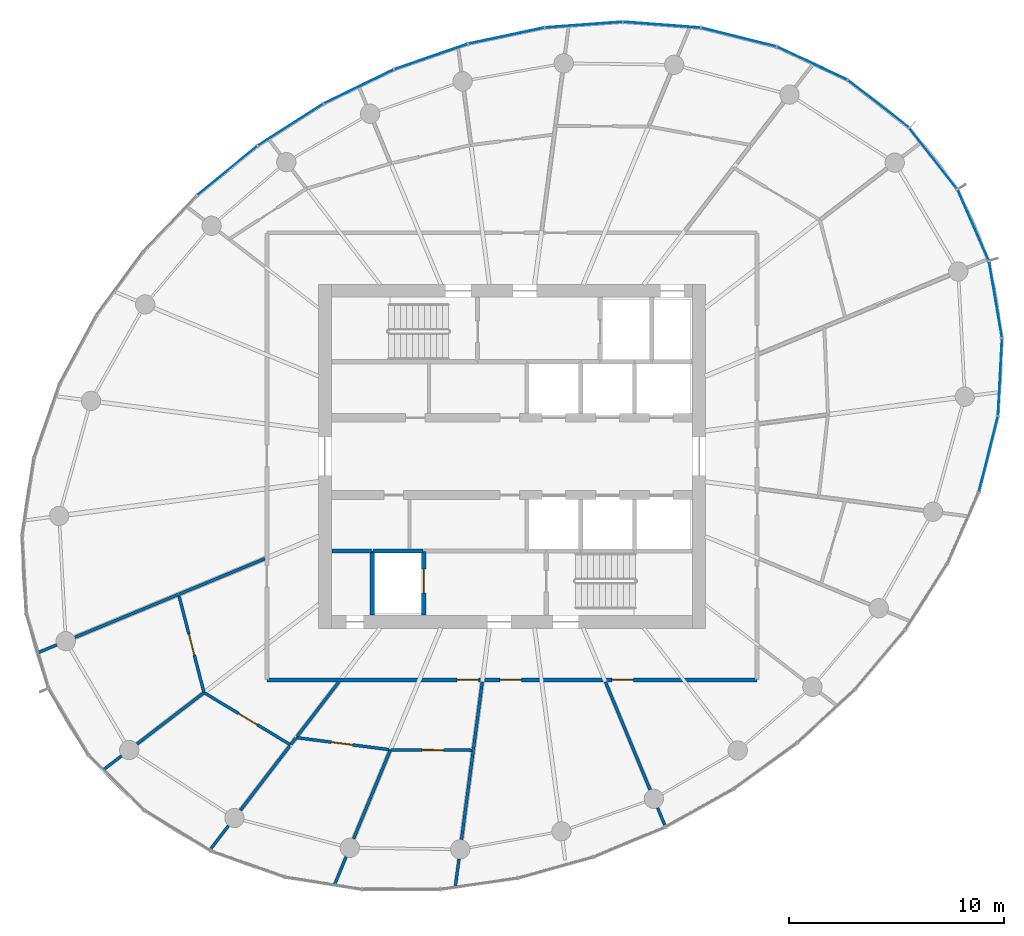
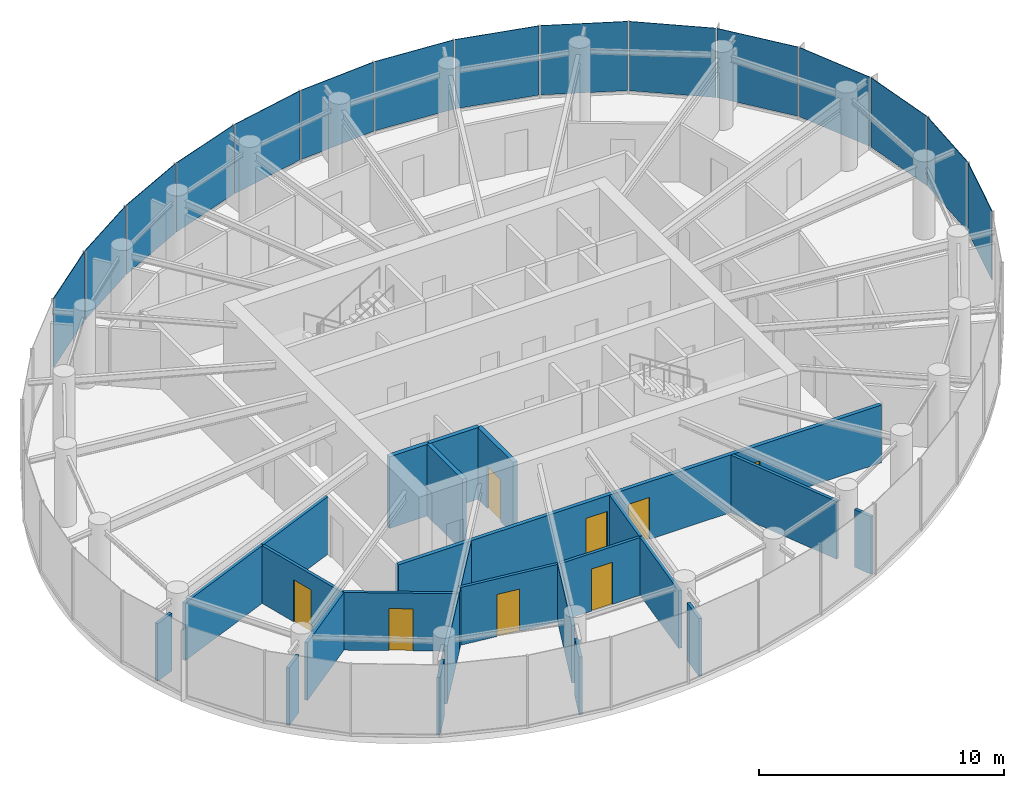
# One storey, part 9 of 14: 25 walls, 15 plates, 8 doors, 8 openings, 3 elements without a shape of their own.
"""IFC4 building model written with IfcOpenShell, lengths in metres."""

import ifcopenshell
import ifcopenshell.guid

model = None  # the IFC model being written
_history = None  # IfcOwnerHistory: only IFC2X3 demands one
_inside = {}  # id of a spatial element -> (the spatial element, [elements in it])
_under = {}  # id of a project, library or spatial element -> (it, [spatial elements below it])
_declared = {}  # id of a project -> (the project, [libraries it declares])
_typed = {}  # id of a type object -> (the type object, [elements of that type])
_made_of = {}  # id of a material, layer set ... -> (it, [elements and type objects made of it])


def new_model(schema):
    """Start an empty IFC model of exactly this schema.

    Asked for "IFC4X3", IfcOpenShell would pick the latest addendum, in which some entities
    have other attributes; the version numbers below select the first issue.
    IFC2X3 requires an IfcOwnerHistory on every rooted entity: one is made here for all.
    """
    global model, _history
    if schema == "IFC4X3":
        model = ifcopenshell.file(schema_version=(4, 3, 0, 0))
    else:
        model = ifcopenshell.file(schema=schema)
    _inside.clear()
    _under.clear()
    _declared.clear()
    _typed.clear()
    _made_of.clear()
    _history = None
    if model.schema == "IFC2X3":
        org = make("IfcOrganization", Name="unknown")
        user = make(
            "IfcPersonAndOrganization",
            ThePerson=make("IfcPerson", FamilyName="unknown"),
            TheOrganization=org,
        )
        app = make(
            "IfcApplication",
            ApplicationDeveloper=org,
            Version="unknown",
            ApplicationFullName="unknown",
            ApplicationIdentifier="unknown",
        )
        _history = make(
            "IfcOwnerHistory",
            OwningUser=user,
            OwningApplication=app,
            ChangeAction="ADDED",
            CreationDate=0,
        )
    return model


def make(cls, **values):
    """One entity of the class cls with the attributes given. An attribute that is None is left unset."""
    return model.create_entity(
        cls, **{name: value for name, value in values.items() if value is not None}
    )


def rooted(cls, **values):
    """An entity with a GlobalId (a new one), such as an element, a storey or a relation."""
    return make(cls, GlobalId=ifcopenshell.guid.new(), OwnerHistory=_history, **values)


def si_unit(unit_type, name, prefix=None):
    """IfcSIUnit, for example si_unit("LENGTHUNIT", "METRE", prefix="MILLI")."""
    return make("IfcSIUnit", UnitType=unit_type, Prefix=prefix, Name=name)


def assignment(units):
    """IfcUnitAssignment: the units of a project."""
    return None if units is None else make("IfcUnitAssignment", Units=units)


def point(xyz):
    """IfcCartesianPoint."""
    return None if xyz is None else make("IfcCartesianPoint", Coordinates=xyz)


def direction(xyz):
    """IfcDirection."""
    return None if xyz is None else make("IfcDirection", DirectionRatios=xyz)


def frame(location, z_axis=None, x_axis=None):
    """IfcAxis2Placement3D, a coordinate frame: its origin and axes. An axis left out is left unset."""
    return make(
        "IfcAxis2Placement3D",
        Location=point(location),
        Axis=direction(z_axis),
        RefDirection=direction(x_axis),
    )


def frame_2d(location, x_axis=None):
    """IfcAxis2Placement2D, a coordinate frame in the plane: its origin and x axis."""
    return make(
        "IfcAxis2Placement2D", Location=point(location), RefDirection=direction(x_axis)
    )


def origin():
    """The frame at (0, 0, 0) with its axes left unset."""
    return frame((0.0, 0.0, 0.0))


def origin_2d():
    """The frame at (0, 0) in the plane with its x axis left unset."""
    return frame_2d((0.0, 0.0))


def place(relative_to, where):
    """IfcLocalPlacement: puts the frame where relative to a parent placement (None: the world)."""
    return make(
        "IfcLocalPlacement", PlacementRelTo=relative_to, RelativePlacement=where
    )


def context(
    kind, dimensions, precision=None, world=None, true_north=None, identifier=None
):
    """IfcGeometricRepresentationContext, for example the 3D "Model" context."""
    return make(
        "IfcGeometricRepresentationContext",
        ContextIdentifier=identifier,
        ContextType=kind,
        CoordinateSpaceDimension=dimensions,
        Precision=precision,
        WorldCoordinateSystem=world,
        TrueNorth=true_north,
    )


def subcontext(parent, identifier, kind, view, scale=None):
    """IfcGeometricRepresentationSubContext, for example "Body" below "Model"."""
    return make(
        "IfcGeometricRepresentationSubContext",
        ContextIdentifier=identifier,
        ContextType=kind,
        ParentContext=parent,
        TargetScale=scale,
        TargetView=view,
    )


def project(units=None, contexts=None):
    """IfcProject with its units and contexts."""
    return rooted(
        "IfcProject",
        Name="project",
        RepresentationContexts=contexts,
        UnitsInContext=assignment(units),
    )


def spatial(cls, under=None, at=None, **own):
    """A site, building, storey or space (cls), placed at a placement, below another one or the project."""
    s = rooted(cls, ObjectPlacement=at, **own)
    if under is not None:
        _under.setdefault(under.id(), (under, []))[1].append(s)
    return s


def profile(cls, at=None, kind="AREA", **sizes):
    """A parametric profile (cls). Its sizes go by their IFC names, for example OverallWidth=200.0."""
    return make(cls, ProfileType=kind, Position=at, **sizes)


def rectangle(**sizes):
    """IfcRectangleProfileDef."""
    return profile("IfcRectangleProfileDef", **sizes)


def extrude(swept, where, along, depth):
    """IfcExtrudedAreaSolid: the profile swept, set in the frame where, extruded along a direction by depth."""
    return make(
        "IfcExtrudedAreaSolid",
        SweptArea=swept,
        Position=where,
        ExtrudedDirection=direction(along),
        Depth=depth,
    )


def shape(context_of_items, identifier, shape_type, items):
    """IfcShapeRepresentation: the items that make up one representation, for example the "Body"."""
    return make(
        "IfcShapeRepresentation",
        ContextOfItems=context_of_items,
        RepresentationIdentifier=identifier,
        RepresentationType=shape_type,
        Items=items,
    )


def source(mapping_origin, context_of_items, identifier, shape_type, items):
    """IfcRepresentationMap: a shape defined once, which mapped items show again and again."""
    return make(
        "IfcRepresentationMap",
        MappingOrigin=mapping_origin,
        MappedRepresentation=shape(context_of_items, identifier, shape_type, items),
    )


def transform(
    local_origin,
    x_axis=None,
    y_axis=None,
    z_axis=None,
    scale=None,
    scale2=None,
    scale3=None,
    uniform=True,
):
    """IfcCartesianTransformationOperator3D, or its non-uniform kind. x_axis, y_axis, z_axis: its Axis1, 2, 3."""
    if uniform:
        return make(
            "IfcCartesianTransformationOperator3D",
            Axis1=direction(x_axis),
            Axis2=direction(y_axis),
            LocalOrigin=point(local_origin),
            Scale=scale,
            Axis3=direction(z_axis),
        )
    return make(
        "IfcCartesianTransformationOperator3DnonUniform",
        Axis1=direction(x_axis),
        Axis2=direction(y_axis),
        LocalOrigin=point(local_origin),
        Scale=scale,
        Axis3=direction(z_axis),
        Scale2=scale2,
        Scale3=scale3,
    )


def mapped(mapping_source, mapping_target):
    """IfcMappedItem: shows the shape of a source again, moved by a transform."""
    return make(
        "IfcMappedItem", MappingSource=mapping_source, MappingTarget=mapping_target
    )


def material(Name=None, Category=None):
    """IfcMaterial."""
    return make("IfcMaterial", Name=Name, Category=Category)


def layer(
    of_material, thickness, ventilated=None, Name=None, Category=None, Priority=None
):
    """IfcMaterialLayer: one layer of a wall or slab, of a material (None: an air gap)."""
    return make(
        "IfcMaterialLayer",
        Material=of_material,
        LayerThickness=thickness,
        IsVentilated=ventilated,
        Name=Name,
        Category=Category,
        Priority=Priority,
    )


def layer_set(layers, Name=None):
    """IfcMaterialLayerSet."""
    return make("IfcMaterialLayerSet", MaterialLayers=layers, LayerSetName=Name)


def made_of(thing, what):
    """Note that an element or type object is made of a material, layer set ...; save() writes the relation."""
    if what is not None:
        _made_of.setdefault(what.id(), (what, []))[1].append(thing)
    return thing


def type_object(cls, material=None, **own):
    """A type object (cls), such as IfcWallType, which elements share."""
    return made_of(rooted(cls, **own), material)


def element(
    cls,
    number,
    at=None,
    inside=None,
    cuts=None,
    type_object=None,
    material=None,
    context=None,
    identifier="Body",
    shape_type=None,
    held_by="IfcProductDefinitionShape",
    body=None,
    shapes=None,
    **own,
):
    """One element of the class cls, such as IfcWall. Its Tag is "e" and its number.

    at: its placement. inside: the storey or other place that contains it. cuts: it is an
    opening in that element (IfcRelVoidsElement). A single representation is given by context,
    identifier, shape_type and body (its items); several are given by shapes. held_by: the class
    of the entity that holds the representations. save() writes the other relations.
    """
    e = rooted(cls, Tag="e%d" % number, ObjectPlacement=at, **own)
    if body is not None:
        shapes = [shape(context, identifier, shape_type, body)]
    if shapes is not None:
        e.Representation = make(held_by, Representations=shapes)
    if inside is not None:
        _inside.setdefault(inside.id(), (inside, []))[1].append(e)
    if cuts is not None:
        rooted(
            "IfcRelVoidsElement", RelatingBuildingElement=cuts, RelatedOpeningElement=e
        )
    if type_object is not None:
        _typed.setdefault(type_object.id(), (type_object, []))[1].append(e)
    return made_of(e, material)


def fill(opening, filler):
    """IfcRelFillsElement: the door or window that sits in an opening."""
    return rooted(
        "IfcRelFillsElement",
        RelatingOpeningElement=opening,
        RelatedBuildingElement=filler,
    )


def aggregate(whole, parts):
    """IfcRelAggregates: a whole, such as a stair, and the parts it consists of."""
    return rooted("IfcRelAggregates", RelatingObject=whole, RelatedObjects=parts)


def save(model, path):
    """Write the relations noted so far, then the file.

    IfcRelAggregates (storeys below a building ...), IfcRelContainedInSpatialStructure (elements
    in a storey), IfcRelDefinesByType, IfcRelAssociatesMaterial and IfcRelDeclares: one each for
    every whole, place, type object, material and project.
    """
    for whole, parts in _under.values():
        aggregate(whole, parts)
    for where, things in _inside.values():
        rooted(
            "IfcRelContainedInSpatialStructure",
            RelatedElements=things,
            RelatingStructure=where,
        )
    for kind, things in _typed.values():
        rooted("IfcRelDefinesByType", RelatedObjects=things, RelatingType=kind)
    for what, things in _made_of.values():
        rooted("IfcRelAssociatesMaterial", RelatedObjects=things, RelatingMaterial=what)
    for by, libraries in _declared.values():
        rooted("IfcRelDeclares", RelatingContext=by, RelatedDefinitions=libraries)
    model.write(path)


model = new_model("IFC4")

# Units and contexts
model_context = context("Model", 3, precision=1e-05, world=origin(), true_north=direction((0.0, 1.0)))
body_context = subcontext(model_context, "Body", "Model", "MODEL_VIEW")
ifc_project = project(units=[si_unit("LENGTHUNIT", "METRE"), si_unit("AREAUNIT", "SQUARE_METRE"), si_unit("VOLUMEUNIT", "CUBIC_METRE"), si_unit("PLANEANGLEUNIT", "RADIAN"), si_unit("MASSUNIT", "GRAM", prefix="KILO")], contexts=[model_context])

# Site, building, storey
site_placement = place(None, origin())
site = spatial("IfcSite", under=ifc_project, at=site_placement, CompositionType="ELEMENT")
building_placement = place(site_placement, origin())
building = spatial("IfcBuilding", under=site, at=building_placement, Name="Spindrift Exchange Tower", CompositionType="ELEMENT")
storey_placement = place(building_placement, frame((0.0, 0.0, 211.10009765625)))
storey = spatial("IfcBuildingStorey", under=building, at=storey_placement, Name="L51", CompositionType="ELEMENT", Elevation=211.10009765625)

# Curtain wall, plates
ifc_material_1 = material(Name="Fritted laminated glass with bronze frame", Category="glass")
ifc_layer_1 = layer(ifc_material_1, 0.169921875)
ifc_layer_set_1 = layer_set([ifc_layer_1], Name="ZONE 4 BRONZE FRITTED WALL")
curtain_wall_type = type_object("IfcCurtainWallType", Name="ZONE 4 BRONZE FRITTED WALL", PredefinedType="NOTDEFINED", material=ifc_layer_set_1)
curtain_wall_1_placement = place(storey_placement, origin())
curtain_wall_1 = element("IfcCurtainWall", 1, at=curtain_wall_1_placement, inside=storey, type_object=curtain_wall_type, Name="L51 Zone 4 Bronze Fritted Wall run 2", PredefinedType="NOTDEFINED")
ifc_material_2 = material(Name="Bronze fritted laminated glass, open frit", Category="glass")
ifc_layer_2 = layer(ifc_material_2, 0.030029296875)
ifc_layer_set_2 = layer_set([ifc_layer_2], Name="ZONE 4 BRONZE FRITTED WALL PANEL OPEN FRIT 600")
plate_type_1 = type_object("IfcPlateType", Name="ZONE 4 BRONZE FRITTED WALL PANEL OPEN FRIT 600", PredefinedType="CURTAIN_PANEL", material=ifc_layer_set_2)
shared_shape_1 = source(origin(), body_context, "Body", "SweptSolid", [
    extrude(rectangle(XDim=3.577392578125, YDim=0.030029296875, at=origin_2d()), origin(), (0.0, 0.0, 1.0), 3.455078125),
])
plate_1_placement = place(storey_placement, frame((51.738037109375, 67.561767578125, 0.124755859375), z_axis=(0.0, 0.0, 1.0), x_axis=(-0.978321798596, -0.207090459442, 0.0)))
plate_1 = element("IfcPlate", 2, at=plate_1_placement, type_object=plate_type_1, Name="L51 panel CW-4.7", PredefinedType="CURTAIN_PANEL", context=body_context, shape_type="MappedRepresentation", body=[
    mapped(shared_shape_1, transform((0.0, 0.0, 0.0), scale=1.0)),
])
ifc_layer_3 = layer(ifc_material_2, 0.030029296875)
ifc_layer_set_3 = layer_set([ifc_layer_3], Name="ZONE 4 BRONZE FRITTED WALL PANEL OPEN FRIT 480")
plate_type_2 = type_object("IfcPlateType", Name="ZONE 4 BRONZE FRITTED WALL PANEL OPEN FRIT 480", PredefinedType="CURTAIN_PANEL", material=ifc_layer_set_3)
shared_shape_2 = source(origin(), body_context, "Body", "SweptSolid", [
    extrude(rectangle(XDim=3.577880859375, YDim=0.030029296875, at=origin_2d()), origin(), (0.0, 0.0, 1.0), 3.455078125),
])
plate_2_placement = place(storey_placement, frame((44.8759765625, 65.1962890625, 0.124755859375), z_axis=(0.0, 0.0, 1.0), x_axis=(-0.899437291409, -0.437049835628, 0.0)))
plate_2 = element("IfcPlate", 3, at=plate_2_placement, type_object=plate_type_2, Name="L51 panel CW-4.9", PredefinedType="CURTAIN_PANEL", context=body_context, shape_type="MappedRepresentation", body=[
    mapped(shared_shape_2, transform((0.0, 0.0, 0.0), scale=1.0)),
])
plate_3_placement = place(storey_placement, frame((41.703125, 63.419189453125, 0.124755859375), z_axis=(0.0, 0.0, 1.0), x_axis=(-0.842564278393, -0.538595800927, 0.0)))
plate_3 = element("IfcPlate", 4, at=plate_3_placement, type_object=plate_type_2, Name="L51 panel CW-4.10", PredefinedType="CURTAIN_PANEL", context=body_context, shape_type="MappedRepresentation", body=[
    mapped(shared_shape_2, transform((0.0, 0.0, 0.0), scale=1.0)),
])
shared_shape_3 = source(origin(), body_context, "Body", "SweptSolid", [
    extrude(rectangle(XDim=3.57763671875, YDim=0.030029296875, at=origin_2d()), origin(), (0.0, 0.0, 1.0), 3.455078125),
])
plate_4_placement = place(storey_placement, frame((38.75927734375, 61.284423828125, 0.124755859375), z_axis=(0.0, 0.0, 1.0), x_axis=(-0.773783828295, -0.633449751022, 0.0)))
plate_4 = element("IfcPlate", 5, at=plate_4_placement, type_object=plate_type_2, Name="L51 panel CW-4.11", PredefinedType="CURTAIN_PANEL", context=body_context, shape_type="MappedRepresentation", body=[
    mapped(shared_shape_3, transform((0.0, 0.0, 0.0), scale=1.0)),
])

# Curtain wall, plate
curtain_wall_2_placement = place(storey_placement, origin())
curtain_wall_2 = element("IfcCurtainWall", 6, at=curtain_wall_2_placement, inside=storey, type_object=curtain_wall_type, Name="L51 Zone 4 Bronze Fritted Wall run 6", PredefinedType="NOTDEFINED")
shared_shape_4 = source(origin(), body_context, "Body", "SweptSolid", [
    extrude(rectangle(XDim=3.5732421875, YDim=0.030029296875, at=origin_2d()), origin(), (0.0, 0.0, 1.0), 3.455078125),
])
plate_5_placement = place(storey_placement, frame((74.701416015625, 51.684814453125, 0.124755859375), z_axis=(0.0, 0.0, 1.0), x_axis=(0.052414388262, 0.998625421218, 0.0)))
plate_5 = element("IfcPlate", 7, at=plate_5_placement, type_object=plate_type_2, Name="L51 panel CW-4.35", PredefinedType="CURTAIN_PANEL", context=body_context, shape_type="MappedRepresentation", body=[
    mapped(shared_shape_4, transform((0.0, 0.0, 0.0), scale=1.0)),
])

# Plate
shared_shape_5 = source(origin(), body_context, "Body", "SweptSolid", [
    extrude(rectangle(XDim=3.57763671875, YDim=0.030029296875, at=origin_2d()), origin(), (0.0, 0.0, 1.0), 3.455078125),
])
plate_6_placement = place(storey_placement, frame((48.2353515625, 66.58837890625, 0.124755859375), z_axis=(0.0, 0.0, 1.0), x_axis=(-0.944914640798, -0.327316852003, 0.0)))
plate_6 = element("IfcPlate", 8, at=plate_6_placement, type_object=plate_type_1, Name="L51 panel CW-4.8", PredefinedType="CURTAIN_PANEL", context=body_context, shape_type="MappedRepresentation", body=[
    mapped(shared_shape_5, transform((0.0, 0.0, 0.0), scale=1.0)),
])

aggregate(curtain_wall_1, [plate_1, plate_6, plate_2, plate_3, plate_4])

# Curtain wall, plates
curtain_wall_3_placement = place(storey_placement, origin())
curtain_wall_3 = element("IfcCurtainWall", 9, at=curtain_wall_3_placement, inside=storey, type_object=curtain_wall_type, Name="L51 Zone 4 Bronze Fritted Wall run 1", PredefinedType="NOTDEFINED")
shared_shape_6 = source(origin(), body_context, "Body", "SweptSolid", [
    extrude(rectangle(XDim=3.576904296875, YDim=0.030029296875, at=origin_2d()), origin(), (0.0, 0.0, 1.0), 3.455078125),
])
plate_7_placement = place(storey_placement, frame((55.335693359375, 68.072998046875, 0.124755859375), z_axis=(0.0, 0.0, 1.0), x_axis=(-0.997278438525, -0.073727308739, 0.0)))
plate_7 = element("IfcPlate", 10, at=plate_7_placement, type_object=plate_type_2, Name="L51 panel CW-4.6", PredefinedType="CURTAIN_PANEL", context=body_context, shape_type="MappedRepresentation", body=[
    mapped(shared_shape_6, transform((0.0, 0.0, 0.0), scale=1.0)),
])
shared_shape_7 = source(origin(), body_context, "Body", "SweptSolid", [
    extrude(rectangle(XDim=3.574951171875, YDim=0.030029296875, at=origin_2d()), origin(), (0.0, 0.0, 1.0), 3.455078125),
])
plate_8_placement = place(storey_placement, frame((62.548095703125, 67.4912109375, 0.124755859375), z_axis=(0.0, 0.0, 1.0), x_axis=(-0.970178231192, 0.242392656077, 0.0)))
plate_8 = element("IfcPlate", 11, at=plate_8_placement, type_object=plate_type_2, Name="L51 panel CW-4.4", PredefinedType="CURTAIN_PANEL", context=body_context, shape_type="MappedRepresentation", body=[
    mapped(shared_shape_7, transform((0.0, 0.0, 0.0), scale=1.0)),
])

# Plate
ifc_layer_4 = layer(ifc_material_2, 0.030029296875)
ifc_layer_set_4 = layer_set([ifc_layer_4], Name="ZONE 4 BRONZE FRITTED WALL PANEL OPEN FRIT 360")
plate_type_3 = type_object("IfcPlateType", Name="ZONE 4 BRONZE FRITTED WALL PANEL OPEN FRIT 360", PredefinedType="CURTAIN_PANEL", material=ifc_layer_set_4)
shared_shape_8 = source(origin(), body_context, "Body", "SweptSolid", [
    extrude(rectangle(XDim=3.571533203125, YDim=0.030029296875, at=origin_2d()), origin(), (0.0, 0.0, 1.0), 3.455078125),
])
plate_9_placement = place(storey_placement, frame((74.4912109375, 55.293701171875, 0.124755859375), z_axis=(0.0, 0.0, 1.0), x_axis=(-0.16812636858, 0.9857654509, 0.0)))
plate_9 = element("IfcPlate", 12, at=plate_9_placement, type_object=plate_type_3, Name="L51 panel CW-4.36", PredefinedType="CURTAIN_PANEL", context=body_context, shape_type="MappedRepresentation", body=[
    mapped(shared_shape_8, transform((0.0, 0.0, 0.0), scale=1.0)),
])

shared_shape_9 = source(origin(), body_context, "Body", "SweptSolid", [
    extrude(rectangle(XDim=3.5703125, YDim=0.030029296875, at=origin_2d()), origin(), (0.0, 0.0, 1.0), 3.455078125),
])
plate_10_placement = place(storey_placement, frame((71.602783203125, 61.844482421875, 0.124755859375), z_axis=(0.0, 0.0, 1.0), x_axis=(-0.618117578279, 0.786085656543, 0.0)))
plate_10 = element("IfcPlate", 13, at=plate_10_placement, type_object=plate_type_2, Name="L51 panel CW-4.1", PredefinedType="CURTAIN_PANEL", context=body_context, shape_type="MappedRepresentation", body=[
    mapped(shared_shape_9, transform((0.0, 0.0, 0.0), scale=1.0)),
])

shared_shape_10 = source(origin(), body_context, "Body", "SweptSolid", [
    extrude(rectangle(XDim=3.5703125, YDim=0.030029296875, at=origin_2d()), origin(), (0.0, 0.0, 1.0), 3.455078125),
])
plate_11_placement = place(storey_placement, frame((73.455810546875, 58.7509765625, 0.124755859375), z_axis=(0.0, 0.0, 1.0), x_axis=(-0.401405939344, 0.915900252134, 0.0)))
plate_11 = element("IfcPlate", 14, at=plate_11_placement, type_object=plate_type_3, Name="L51 panel CW-4.37", PredefinedType="CURTAIN_PANEL", context=body_context, shape_type="MappedRepresentation", body=[
    mapped(shared_shape_10, transform((0.0, 0.0, 0.0), scale=1.0)),
])

shared_shape_11 = source(origin(), body_context, "Body", "SweptSolid", [
    extrude(rectangle(XDim=3.571533203125, YDim=0.030029296875, at=origin_2d()), origin(), (0.0, 0.0, 1.0), 3.455078125),
])
plate_12_placement = place(storey_placement, frame((69.043212890625, 64.388427734375, 0.124755859375), z_axis=(0.0, 0.0, 1.0), x_axis=(-0.789809365788, 0.613352399289, 0.0)))
plate_12 = element("IfcPlate", 15, at=plate_12_placement, type_object=plate_type_1, Name="L51 panel CW-4.2", PredefinedType="CURTAIN_PANEL", context=body_context, shape_type="MappedRepresentation", body=[
    mapped(shared_shape_11, transform((0.0, 0.0, 0.0), scale=1.0)),
])

shared_shape_12 = source(origin(), body_context, "Body", "SweptSolid", [
    extrude(rectangle(XDim=3.5732421875, YDim=0.030029296875, at=origin_2d()), origin(), (0.0, 0.0, 1.0), 3.455078125),
])
plate_13_placement = place(storey_placement, frame((65.96044921875, 66.27685546875, 0.124755859375), z_axis=(0.0, 0.0, 1.0), x_axis=(-0.905203462571, 0.424978459864, 0.0)))
plate_13 = element("IfcPlate", 16, at=plate_13_placement, type_object=plate_type_1, Name="L51 panel CW-4.3", PredefinedType="CURTAIN_PANEL", context=body_context, shape_type="MappedRepresentation", body=[
    mapped(shared_shape_12, transform((0.0, 0.0, 0.0), scale=1.0)),
])

shared_shape_13 = source(origin(), body_context, "Body", "SweptSolid", [
    extrude(rectangle(XDim=3.574951171875, YDim=0.030029296875, at=origin_2d()), origin(), (0.0, 0.0, 1.0), 3.455078125),
])
plate_14_placement = place(storey_placement, frame((74.162109375, 48.10302734375, 0.124755859375), z_axis=(0.0, 0.0, 1.0), x_axis=(0.244041560201, 0.969764774002, 0.0)))
plate_14 = element("IfcPlate", 17, at=plate_14_placement, type_object=plate_type_1, Name="L51 panel CW-4.34", PredefinedType="CURTAIN_PANEL", context=body_context, shape_type="MappedRepresentation", body=[
    mapped(shared_shape_13, transform((0.0, 0.0, 0.0), scale=1.0)),
])

aggregate(curtain_wall_2, [plate_14, plate_5, plate_9, plate_11])

shared_shape_14 = source(origin(), body_context, "Body", "SweptSolid", [
    extrude(rectangle(XDim=3.576171875, YDim=0.030029296875, at=origin_2d()), origin(), (0.0, 0.0, 1.0), 3.455078125),
])
plate_15_placement = place(storey_placement, frame((58.966796875, 68.06982421875, 0.124755859375), z_axis=(0.0, 0.0, 1.0), x_axis=(-0.997141651617, 0.075554792105, 0.0)))
plate_15 = element("IfcPlate", 18, at=plate_15_placement, type_object=plate_type_2, Name="L51 panel CW-4.5", PredefinedType="CURTAIN_PANEL", context=body_context, shape_type="MappedRepresentation", body=[
    mapped(shared_shape_14, transform((0.0, 0.0, 0.0), scale=1.0)),
])

aggregate(curtain_wall_3, [plate_10, plate_12, plate_13, plate_8, plate_15, plate_7])

# Wall, openings, doors
ifc_material_3 = material(Name="Fire-rated plasterboard partition", Category="gypsum")
ifc_layer_5 = layer(ifc_material_3, 0.179931640625)
ifc_layer_set_5 = layer_set([ifc_layer_5], Name="W-CORR-180")
wall_type_1 = type_object("IfcWallType", Name="W-CORR-180", PredefinedType="PARTITIONING", material=ifc_layer_set_5)
wall_1_placement = place(storey_placement, frame((63.39990234375, 37.60009765625, 0.0), z_axis=(0.0, 0.0, 1.0), x_axis=(-1.0, 0.0, 0.0)))
wall_1 = element("IfcWall", 19, at=wall_1_placement, inside=storey, type_object=wall_type_1, Name="L51 Partition wall 28", PredefinedType="PARTITIONING", context=body_context, shape_type="SweptSolid", body=[
    extrude(rectangle(XDim=22.7998046875, YDim=0.179931640625, at=frame_2d((11.39990234375, 0.0))), origin(), (0.0, 0.0, 1.0), 2.8798828125),
])
opening_1_placement = place(wall_1_placement, frame((12.949951171875, 0.0, 0.0)))
opening_1 = element("IfcOpeningElement", 20, at=opening_1_placement, cuts=wall_1, Name="Opening L51-D37", PredefinedType="OPENING", context=body_context, shape_type="SweptSolid", body=[
    extrude(rectangle(XDim=1.0, YDim=2.10009765625, at=frame_2d((0.5, 1.050048828125))), frame((0.0, 0.099853515625, 0.0), z_axis=(0.0, -1.0, 0.0), x_axis=(1.0, 0.0, 0.0)), (0.0, 0.0, 1.0), 0.199951171875),
])
opening_2_placement = place(wall_1_placement, frame((10.949951171875, 0.0, 0.0)))
opening_2 = element("IfcOpeningElement", 21, at=opening_2_placement, cuts=wall_1, Name="Opening L51-D40", PredefinedType="OPENING", context=body_context, shape_type="SweptSolid", body=[
    extrude(rectangle(XDim=1.0, YDim=2.10009765625, at=frame_2d((0.5, 1.050048828125))), frame((0.0, 0.099853515625, 0.0), z_axis=(0.0, -1.0, 0.0), x_axis=(1.0, 0.0, 0.0)), (0.0, 0.0, 1.0), 0.199951171875),
])
opening_3_placement = place(wall_1_placement, frame((5.75, 0.0, 0.0)))
opening_3 = element("IfcOpeningElement", 22, at=opening_3_placement, cuts=wall_1, Name="Opening L51-D41", PredefinedType="OPENING", context=body_context, shape_type="SweptSolid", body=[
    extrude(rectangle(XDim=1.0, YDim=2.10009765625, at=frame_2d((0.5, 1.050048828125))), frame((0.0, 0.099853515625, 0.0), z_axis=(0.0, -1.0, 0.0), x_axis=(1.0, 0.0, 0.0)), (0.0, 0.0, 1.0), 0.199951171875),
])
ifc_material_4 = material(Name="Timber-core fire door", Category="wood")
door_type_1 = type_object("IfcDoorType", Name="DR-ROOM-1000", OperationType="NOTDEFINED", PredefinedType="DOOR", material=ifc_material_4)
shared_shape_15 = source(origin(), body_context, "Body", "SweptSolid", [
    extrude(rectangle(XDim=1.0, YDim=2.10009765625, at=frame_2d((0.5, 1.050048828125))), frame((0.0, 0.02490234375, 0.0), z_axis=(0.0, -1.0, 0.0), x_axis=(1.0, 0.0, 0.0)), (0.0, 0.0, 1.0), 0.050048828125),
])
door_1_placement = place(opening_1_placement, origin())
door_1 = element("IfcDoor", 23, at=door_1_placement, inside=storey, type_object=door_type_1, Name="L51 Door 37", OperationType="SINGLE_SWING_LEFT", OverallHeight=2.10009765625, OverallWidth=1.0, PredefinedType="DOOR", context=body_context, shape_type="MappedRepresentation", body=[
    mapped(shared_shape_15, transform((0.0, 0.0, 0.0), scale=1.0)),
])
fill(opening_1, door_1)
door_2_placement = place(opening_2_placement, origin())
door_2 = element("IfcDoor", 24, at=door_2_placement, inside=storey, type_object=door_type_1, Name="L51 Door 40", OperationType="SINGLE_SWING_RIGHT", OverallHeight=2.10009765625, OverallWidth=1.0, PredefinedType="DOOR", context=body_context, shape_type="MappedRepresentation", body=[
    mapped(shared_shape_15, transform((0.0, 0.0, 0.0), scale=1.0)),
])
fill(opening_2, door_2)
door_3_placement = place(opening_3_placement, origin())
door_3 = element("IfcDoor", 25, at=door_3_placement, inside=storey, type_object=door_type_1, Name="L51 Door 41", OperationType="SINGLE_SWING_LEFT", OverallHeight=2.10009765625, OverallWidth=1.0, PredefinedType="DOOR", context=body_context, shape_type="MappedRepresentation", body=[
    mapped(shared_shape_15, transform((0.0, 0.0, 0.0), scale=1.0)),
])
fill(opening_3, door_3)

# Walls
ifc_layer_6 = layer(ifc_material_3, 0.139892578125)
ifc_layer_set_6 = layer_set([ifc_layer_6], Name="W-PART-140")
wall_type_2 = type_object("IfcWallType", Name="W-PART-140", PredefinedType="PARTITIONING", material=ifc_layer_set_6)
wall_2_placement = place(storey_placement, frame((56.34521484375, 37.510009765625, 0.0), z_axis=(0.0, 0.0, 1.0), x_axis=(0.382655972885, -0.923890906122, 0.0)))
element("IfcWall", 26, at=wall_2_placement, inside=storey, type_object=wall_type_2, Name="L51 Partition wall 33", PredefinedType="PARTITIONING", context=body_context, shape_type="SweptSolid", body=[
    extrude(rectangle(XDim=5.4345703125, YDim=0.139892578125, at=frame_2d((2.71728515625, 0.0))), origin(), (0.0, 0.0, 1.0), 2.8798828125),
])
wall_3_placement = place(storey_placement, frame((36.49658203125, 41.578369140625, 0.0), z_axis=(0.0, 0.0, 1.0), x_axis=(-0.923872241602, -0.382701033703, 0.0)))
element("IfcWall", 27, at=wall_3_placement, inside=storey, type_object=wall_type_2, Name="L51 Partition wall 34", PredefinedType="PARTITIONING", context=body_context, shape_type="SweptSolid", body=[
    extrude(rectangle(XDim=5.227294921875, YDim=0.139892578125, at=frame_2d((2.61376953125, 0.0))), origin(), (0.0, 0.0, 1.0), 2.8798828125),
])

# Wall, opening, door
wall_4_placement = place(storey_placement, frame((37.67578125, 37.008544921875, 0.0), z_axis=(0.0, 0.0, 1.0), x_axis=(-0.249819251726, 0.968292487561, 0.0)))
wall_4 = element("IfcWall", 28, at=wall_4_placement, inside=storey, type_object=wall_type_2, Name="L51 Partition wall 38", PredefinedType="PARTITIONING", context=body_context, shape_type="SweptSolid", body=[
    extrude(rectangle(XDim=4.64892578125, YDim=0.139892578125, at=frame_2d((2.324462890625, 0.0))), origin(), (0.0, 0.0, 1.0), 2.8798828125),
])
opening_4_placement = place(wall_4_placement, frame((1.798583984375, 0.0, 0.0)))
opening_4 = element("IfcOpeningElement", 29, at=opening_4_placement, cuts=wall_4, Name="Opening L51-D35", PredefinedType="OPENING", context=body_context, shape_type="SweptSolid", body=[
    extrude(rectangle(XDim=1.0, YDim=2.10009765625, at=frame_2d((0.5, 1.050048828125))), frame((0.0, 0.079833984375, 0.0), z_axis=(0.0, -1.0, 0.0), x_axis=(1.0, 0.0, 0.0)), (0.0, 0.0, 1.0), 0.159912109375),
])
door_4_placement = place(opening_4_placement, origin())
door_4 = element("IfcDoor", 30, at=door_4_placement, inside=storey, type_object=door_type_1, Name="L51 Door 35", OperationType="SINGLE_SWING_LEFT", OverallHeight=2.10009765625, OverallWidth=1.0, PredefinedType="DOOR", context=body_context, shape_type="MappedRepresentation", body=[
    mapped(shared_shape_15, transform((0.0, 0.0, 0.0), scale=1.0)),
])
fill(opening_4, door_4)

wall_5_placement = place(storey_placement, frame((41.702392578125, 34.580078125, 0.0), z_axis=(0.0, 0.0, 1.0), x_axis=(-0.856310382511, 0.516461546298, 0.0)))
wall_5 = element("IfcWall", 31, at=wall_5_placement, inside=storey, type_object=wall_type_2, Name="L51 Partition wall 41", PredefinedType="PARTITIONING", context=body_context, shape_type="SweptSolid", body=[
    extrude(rectangle(XDim=4.67236328125, YDim=0.139892578125, at=frame_2d((2.336181640625, 0.0))), origin(), (0.0, 0.0, 1.0), 2.8798828125),
])
opening_5_placement = place(wall_5_placement, frame((1.822509765625, 0.0, 0.0)))
opening_5 = element("IfcOpeningElement", 32, at=opening_5_placement, cuts=wall_5, Name="Opening L51-D36", PredefinedType="OPENING", context=body_context, shape_type="SweptSolid", body=[
    extrude(rectangle(XDim=1.0, YDim=2.10009765625, at=frame_2d((0.5, 1.050048828125))), frame((0.0, 0.079833984375, 0.0), z_axis=(0.0, -1.0, 0.0), x_axis=(1.0, 0.0, 0.0)), (0.0, 0.0, 1.0), 0.159912109375),
])
door_5_placement = place(opening_5_placement, origin())
door_5 = element("IfcDoor", 33, at=door_5_placement, inside=storey, type_object=door_type_1, Name="L51 Door 36", OperationType="SINGLE_SWING_RIGHT", OverallHeight=2.10009765625, OverallWidth=1.0, PredefinedType="DOOR", context=body_context, shape_type="MappedRepresentation", body=[
    mapped(shared_shape_15, transform((0.0, 0.0, 0.0), scale=1.0)),
])
fill(opening_5, door_5)

# Walls
wall_6_placement = place(storey_placement, frame((46.345947265625, 34.35009765625, 0.0), z_axis=(0.0, 0.0, 1.0), x_axis=(-0.382683853281, -0.923879358162, 0.0)))
element("IfcWall", 34, at=wall_6_placement, inside=storey, type_object=wall_type_2, Name="L51 Partition wall 42", PredefinedType="PARTITIONING", context=body_context, shape_type="SweptSolid", body=[
    extrude(rectangle(XDim=4.48046875, YDim=0.139892578125, at=frame_2d((2.240234375, 0.0))), origin(), (0.0, 0.0, 1.0), 2.8798828125),
])
wall_7_placement = place(storey_placement, frame((40.510009765625, 43.24072265625, 0.0), z_axis=(0.0, 0.0, 1.0), x_axis=(-0.923880260939, -0.382681673781, 0.0)))
element("IfcWall", 35, at=wall_7_placement, inside=storey, type_object=wall_type_2, Name="L51 Partition wall 43", PredefinedType="PARTITIONING", context=body_context, shape_type="SweptSolid", body=[
    extrude(rectangle(XDim=4.31396484375, YDim=0.139892578125, at=frame_2d((2.156982421875, 0.0))), origin(), (0.0, 0.0, 1.0), 2.8798828125),
])

# Wall, opening, door
wall_8_placement = place(storey_placement, frame((46.274169921875, 34.359375, 0.0), z_axis=(0.0, 0.0, 1.0), x_axis=(-0.991745657541, 0.128220711073, 0.0)))
wall_8 = element("IfcWall", 36, at=wall_8_placement, inside=storey, type_object=wall_type_2, Name="L51 Partition wall 44", PredefinedType="PARTITIONING", context=body_context, shape_type="SweptSolid", body=[
    extrude(rectangle(XDim=4.348876953125, YDim=0.139892578125, at=frame_2d((2.17431640625, 0.0))), origin(), (0.0, 0.0, 1.0), 2.8798828125),
])
opening_6_placement = place(wall_8_placement, frame((1.698974609375, 0.0, 0.0)))
opening_6 = element("IfcOpeningElement", 37, at=opening_6_placement, cuts=wall_8, Name="Opening L51-D38", PredefinedType="OPENING", context=body_context, shape_type="SweptSolid", body=[
    extrude(rectangle(XDim=1.0, YDim=2.10009765625, at=frame_2d((0.5, 1.050048828125))), frame((0.0, 0.079833984375, 0.0), z_axis=(0.0, -1.0, 0.0), x_axis=(1.0, 0.0, 0.0)), (0.0, 0.0, 1.0), 0.159912109375),
])
door_6_placement = place(opening_6_placement, origin())
door_6 = element("IfcDoor", 38, at=door_6_placement, inside=storey, type_object=door_type_1, Name="L51 Door 38", OperationType="SINGLE_SWING_RIGHT", OverallHeight=2.10009765625, OverallWidth=1.0, PredefinedType="DOOR", context=body_context, shape_type="MappedRepresentation", body=[
    mapped(shared_shape_15, transform((0.0, 0.0, 0.0), scale=1.0)),
])
fill(opening_6, door_6)

# Walls
wall_9_placement = place(storey_placement, frame((50.199951171875, 34.327880859375, 0.0), z_axis=(0.0, 0.0, 1.0), x_axis=(-0.130534370564, -0.99144378464, 0.0)))
element("IfcWall", 39, at=wall_9_placement, inside=storey, type_object=wall_type_2, Name="L51 Partition wall 47", PredefinedType="PARTITIONING", context=body_context, shape_type="SweptSolid", body=[
    extrude(rectangle(XDim=4.19140625, YDim=0.139892578125, at=frame_2d((2.095703125, 0.0))), origin(), (0.0, 0.0, 1.0), 2.8798828125),
])
wall_10_placement = place(storey_placement, frame((37.652099609375, 36.990478515625, 0.0), z_axis=(0.0, 0.0, 1.0), x_axis=(-0.793347300472, -0.608769300173, 0.0)))
element("IfcWall", 40, at=wall_10_placement, inside=storey, type_object=wall_type_2, Name="L51 Partition wall 51", PredefinedType="PARTITIONING", context=body_context, shape_type="SweptSolid", body=[
    extrude(rectangle(XDim=3.8994140625, YDim=0.139892578125, at=frame_2d((1.94970703125, 0.0))), origin(), (0.0, 0.0, 1.0), 2.8798828125),
])

# Wall, opening, door
wall_11_placement = place(storey_placement, frame((50.12939453125, 34.328125, 0.0), z_axis=(0.0, 0.0, 1.0), x_axis=(-0.999983244193, 0.005788897407, 0.0)))
wall_11 = element("IfcWall", 41, at=wall_11_placement, inside=storey, type_object=wall_type_2, Name="L51 Partition wall 54", PredefinedType="PARTITIONING", context=body_context, shape_type="SweptSolid", body=[
    extrude(rectangle(XDim=3.75341796875, YDim=0.139892578125, at=frame_2d((1.876708984375, 0.0))), origin(), (0.0, 0.0, 1.0), 2.8798828125),
])
opening_7_placement = place(wall_11_placement, frame((1.303466796875, 0.0, 0.0)))
opening_7 = element("IfcOpeningElement", 42, at=opening_7_placement, cuts=wall_11, Name="Opening L51-D39", PredefinedType="OPENING", context=body_context, shape_type="SweptSolid", body=[
    extrude(rectangle(XDim=1.0, YDim=2.10009765625, at=frame_2d((0.5, 1.050048828125))), frame((0.0, 0.079833984375, 0.0), z_axis=(0.0, -1.0, 0.0), x_axis=(1.0, 0.0, 0.0)), (0.0, 0.0, 1.0), 0.159912109375),
])
door_7_placement = place(opening_7_placement, origin())
door_7 = element("IfcDoor", 43, at=door_7_placement, inside=storey, type_object=door_type_1, Name="L51 Door 39", OperationType="SINGLE_SWING_LEFT", OverallHeight=2.10009765625, OverallWidth=1.0, PredefinedType="DOOR", context=body_context, shape_type="MappedRepresentation", body=[
    mapped(shared_shape_15, transform((0.0, 0.0, 0.0), scale=1.0)),
])
fill(opening_7, door_7)

# Walls
wall_12_placement = place(storey_placement, frame((41.65966796875, 34.524169921875, 0.0), z_axis=(0.0, 0.0, 1.0), x_axis=(-0.60877322383, -0.793344289667, 0.0)))
element("IfcWall", 44, at=wall_12_placement, inside=storey, type_object=wall_type_2, Name="L51 Partition wall 56", PredefinedType="PARTITIONING", context=body_context, shape_type="SweptSolid", body=[
    extrude(rectangle(XDim=3.7646484375, YDim=0.139892578125, at=frame_2d((1.88232421875, 0.0))), origin(), (0.0, 0.0, 1.0), 2.8798828125),
])
wall_13_placement = place(storey_placement, frame((41.94287109375, 34.893310546875, 0.0), z_axis=(0.0, 0.0, 1.0), x_axis=(-0.608740457709, -0.793369431695, 0.0)))
element("IfcWall", 45, at=wall_13_placement, inside=storey, type_object=wall_type_2, Name="L51 Partition wall 58", PredefinedType="PARTITIONING", context=body_context, shape_type="SweptSolid", body=[
    extrude(rectangle(XDim=0.364990234375, YDim=0.139892578125, at=frame_2d((0.1826171875, 0.0))), origin(), (0.0, 0.0, 1.0), 2.8798828125),
])
wall_14_placement = place(storey_placement, frame((43.95068359375, 37.510009765625, 0.0), z_axis=(0.0, 0.0, 1.0), x_axis=(-0.60871452172, -0.793389331317, 0.0)))
element("IfcWall", 46, at=wall_14_placement, inside=storey, type_object=wall_type_2, Name="L51 Partition wall 59", PredefinedType="PARTITIONING", context=body_context, shape_type="SweptSolid", body=[
    extrude(rectangle(XDim=3.187255859375, YDim=0.139892578125, at=frame_2d((1.59375, 0.0))), origin(), (0.0, 0.0, 1.0), 2.8798828125),
])
wall_15_placement = place(storey_placement, frame((50.618896484375, 37.510009765625, 0.0), z_axis=(0.0, 0.0, 1.0), x_axis=(-0.130524026108, -0.991445146546, 0.0)))
element("IfcWall", 47, at=wall_15_placement, inside=storey, type_object=wall_type_2, Name="L51 Partition wall 64", PredefinedType="PARTITIONING", context=body_context, shape_type="SweptSolid", body=[
    extrude(rectangle(XDim=3.1796875, YDim=0.139892578125, at=frame_2d((1.58984375, 0.0))), origin(), (0.0, 0.0, 1.0), 2.8798828125),
])
wall_16_placement = place(storey_placement, frame((44.283203125, 29.369873046875, 0.0), z_axis=(0.0, 0.0, 1.0), x_axis=(-0.382733825207, -0.923858657502, 0.0)))
element("IfcWall", 48, at=wall_16_placement, inside=storey, type_object=wall_type_2, Name="L51 Partition wall 76", PredefinedType="PARTITIONING", context=body_context, shape_type="SweptSolid", body=[
    extrude(rectangle(XDim=1.373291015625, YDim=0.139892578125, at=frame_2d((0.6865234375, 0.0))), origin(), (0.0, 0.0, 1.0), 2.8798828125),
])
wall_17_placement = place(storey_placement, frame((38.814453125, 30.81640625, 0.0), z_axis=(0.0, 0.0, 1.0), x_axis=(-0.608692849826, -0.79340595824, 0.0)))
element("IfcWall", 49, at=wall_17_placement, inside=storey, type_object=wall_type_2, Name="L51 Partition wall 77", PredefinedType="PARTITIONING", context=body_context, shape_type="SweptSolid", body=[
    extrude(rectangle(XDim=1.333740234375, YDim=0.139892578125, at=frame_2d((0.6669921875, 0.0))), origin(), (0.0, 0.0, 1.0), 2.8798828125),
])
wall_18_placement = place(storey_placement, frame((49.5341796875, 29.27099609375, 0.0), z_axis=(0.0, 0.0, 1.0), x_axis=(-0.130520415919, -0.991445621821, 0.0)))
element("IfcWall", 50, at=wall_18_placement, inside=storey, type_object=wall_type_2, Name="L51 Partition wall 79", PredefinedType="PARTITIONING", context=body_context, shape_type="SweptSolid", body=[
    extrude(rectangle(XDim=1.245849609375, YDim=0.139892578125, at=frame_2d((0.623046875, 0.0))), origin(), (0.0, 0.0, 1.0), 2.8798828125),
])
wall_19_placement = place(storey_placement, frame((33.83740234375, 34.063232421875, 0.0), z_axis=(0.0, 0.0, 1.0), x_axis=(-0.793403619358, -0.608695898449, 0.0)))
element("IfcWall", 51, at=wall_19_placement, inside=storey, type_object=wall_type_2, Name="L51 Partition wall 86", PredefinedType="PARTITIONING", context=body_context, shape_type="SweptSolid", body=[
    extrude(rectangle(XDim=1.046875, YDim=0.139892578125, at=frame_2d((0.5234375, 0.0))), origin(), (0.0, 0.0, 1.0), 2.8798828125),
])
wall_20_placement = place(storey_placement, frame((30.826416015625, 39.229736328125, 0.0), z_axis=(0.0, 0.0, 1.0), x_axis=(-0.923779659408, -0.38292445843, 0.0)))
element("IfcWall", 52, at=wall_20_placement, inside=storey, type_object=wall_type_2, Name="L51 Partition wall 87", PredefinedType="PARTITIONING", context=body_context, shape_type="SweptSolid", body=[
    extrude(rectangle(XDim=0.953857421875, YDim=0.139892578125, at=frame_2d((0.47705078125, 0.0))), origin(), (0.0, 0.0, 1.0), 2.8798828125),
])
wall_21_placement = place(storey_placement, frame((58.773193359375, 31.648193359375, 0.0), z_axis=(0.0, 0.0, 1.0), x_axis=(0.382754217383, -0.92385020922, 0.0)))
element("IfcWall", 53, at=wall_21_placement, inside=storey, type_object=wall_type_2, Name="L51 Partition wall 92", PredefinedType="PARTITIONING", context=body_context, shape_type="SweptSolid", body=[
    extrude(rectangle(XDim=0.857177734375, YDim=0.139892578125, at=frame_2d((0.4287109375, 0.0))), origin(), (0.0, 0.0, 1.0), 2.8798828125),
])
ifc_material_5 = material(Name="Concrete 40 MPa", Category="concrete")
ifc_layer_7 = layer(ifc_material_5, 0.199951171875)
ifc_layer_set_7 = layer_set([ifc_layer_7], Name="W-SHAFT-200")
wall_type_3 = type_object("IfcWallType", Name="W-SHAFT-200", PredefinedType="SOLIDWALL", material=ifc_layer_set_7)
wall_22_placement = place(storey_placement, frame((45.5, 43.60009765625, 0.0), z_axis=(0.0, 0.0, 1.0), x_axis=(0.0, -1.0, 0.0)))
element("IfcWall", 54, at=wall_22_placement, inside=storey, type_object=wall_type_3, Name="L51 Shaft wall 3", PredefinedType="SOLIDWALL", context=body_context, shape_type="SweptSolid", body=[
    extrude(rectangle(XDim=2.97998046875, YDim=0.199951171875, at=frame_2d((1.489990234375, 0.0))), origin(), (0.0, 0.0, 1.0), 3.579833984375),
])

# Wall, opening, door
wall_23_placement = place(storey_placement, frame((47.89990234375, 40.6201171875, 0.0), z_axis=(0.0, 0.0, 1.0), x_axis=(0.0, 1.0, 0.0)))
wall_23 = element("IfcWall", 55, at=wall_23_placement, inside=storey, type_object=wall_type_3, Name="L51 Shaft wall 4", PredefinedType="SOLIDWALL", context=body_context, shape_type="SweptSolid", body=[
    extrude(rectangle(XDim=2.949951171875, YDim=0.199951171875, at=frame_2d((1.47509765625, 0.0))), origin(), (0.0, 0.0, 1.0), 3.579833984375),
])
opening_8_placement = place(wall_23_placement, frame((1.030029296875, 0.0, 0.0)))
opening_8 = element("IfcOpeningElement", 56, at=opening_8_placement, cuts=wall_23, Name="Opening L51-D10", PredefinedType="OPENING", context=body_context, shape_type="SweptSolid", body=[
    extrude(rectangle(XDim=1.10009765625, YDim=2.10009765625, at=frame_2d((0.550048828125, 1.050048828125))), frame((0.0, 0.10986328125, 0.0), z_axis=(0.0, -1.0, 0.0), x_axis=(1.0, 0.0, 0.0)), (0.0, 0.0, 1.0), 0.219970703125),
])
ifc_material_6 = material(Name="Stainless steel landing door", Category="steel")
door_type_2 = type_object("IfcDoorType", Name="DR-LANDING-1100-SL", OperationType="DOUBLE_DOOR_SLIDING", PredefinedType="USERDEFINED", material=ifc_material_6)
shared_shape_16 = source(origin(), body_context, "Body", "SweptSolid", [
    extrude(rectangle(XDim=1.10009765625, YDim=2.10009765625, at=frame_2d((0.550048828125, 1.050048828125))), frame((0.0, 0.02490234375, 0.0), z_axis=(0.0, -1.0, 0.0), x_axis=(1.0, 0.0, 0.0)), (0.0, 0.0, 1.0), 0.050048828125),
])
door_8_placement = place(opening_8_placement, origin())
door_8 = element("IfcDoor", 57, at=door_8_placement, inside=storey, type_object=door_type_2, Name="L51 Lift landing door 10", ObjectType="LANDING DOOR", OperationType="DOUBLE_DOOR_SLIDING", OverallHeight=2.10009765625, OverallWidth=1.10009765625, PredefinedType="USERDEFINED", context=body_context, shape_type="MappedRepresentation", body=[
    mapped(shared_shape_16, transform((0.0, 0.0, 0.0), scale=1.0)),
])
fill(opening_8, door_8)

# Walls
wall_24_placement = place(storey_placement, frame((47.8701171875, 43.60009765625, 0.0), z_axis=(0.0, 0.0, 1.0), x_axis=(-1.0, 0.0, 0.0)))
element("IfcWall", 58, at=wall_24_placement, inside=storey, type_object=wall_type_3, Name="L51 Shaft wall 12", PredefinedType="SOLIDWALL", context=body_context, shape_type="SweptSolid", body=[
    extrude(rectangle(XDim=2.340087890625, YDim=0.199951171875, at=frame_2d((1.169921875, 0.0))), origin(), (0.0, 0.0, 1.0), 3.579833984375),
])
wall_25_placement = place(storey_placement, frame((45.469970703125, 43.60009765625, 0.0), z_axis=(0.0, 0.0, 1.0), x_axis=(-1.0, 0.0, 0.0)))
element("IfcWall", 59, at=wall_25_placement, inside=storey, type_object=wall_type_3, Name="L51 Shaft wall 20", PredefinedType="SOLIDWALL", context=body_context, shape_type="SweptSolid", body=[
    extrude(rectangle(XDim=1.849853515625, YDim=0.199951171875, at=frame_2d((0.9248046875, 0.0))), origin(), (0.0, 0.0, 1.0), 3.579833984375),
])

save(model, "model.ifc")
